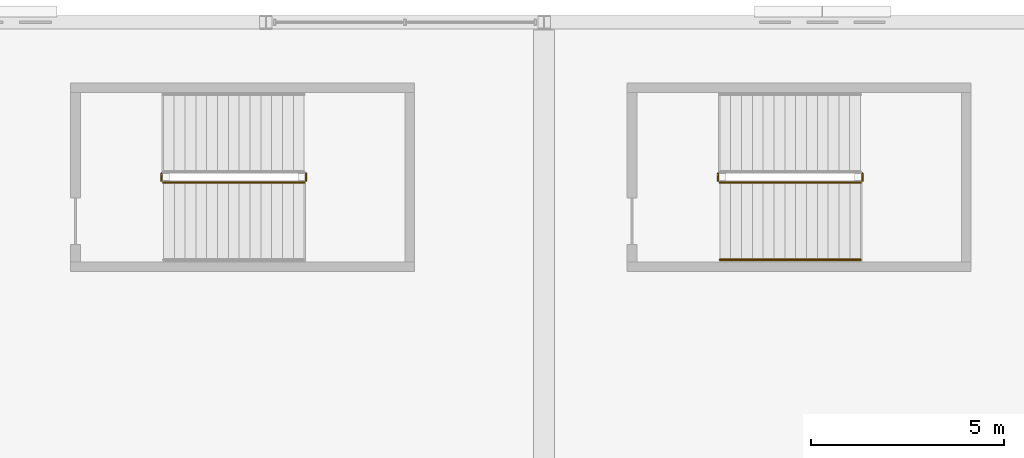
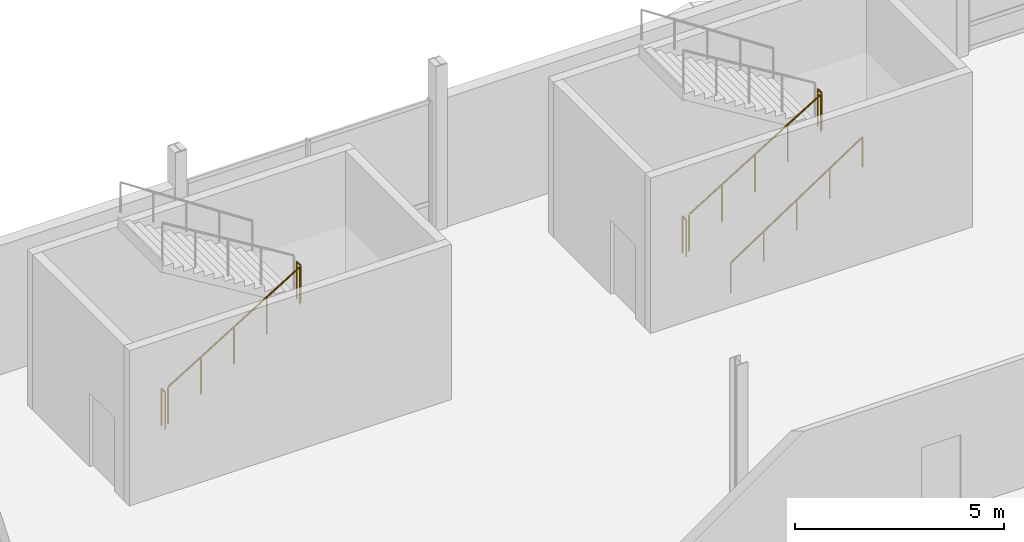
# One storey, part 176 of 193: 7 railings.
"""IFC4 building model written with IfcOpenShell, lengths in metres."""

from ifc_helpers import new_model, si_unit, direction, frame, origin, origin_2d, place, context, subcontext, project, spatial, circle, extrude, material, type_object, element, save


model = new_model("IFC4")

# Units and contexts
model_context = context("Model", 3, precision=1e-05, world=origin(), true_north=direction((0.0, 1.0)))
body_context = subcontext(model_context, "Body", "Model", "MODEL_VIEW")
ifc_project = project(units=[si_unit("LENGTHUNIT", "METRE"), si_unit("AREAUNIT", "SQUARE_METRE"), si_unit("VOLUMEUNIT", "CUBIC_METRE"), si_unit("PLANEANGLEUNIT", "RADIAN"), si_unit("MASSUNIT", "GRAM", prefix="KILO")], contexts=[model_context])

# Site, building, storey
site_placement = place(None, origin())
site = spatial("IfcSite", under=ifc_project, at=site_placement, CompositionType="ELEMENT")
building_placement = place(site_placement, origin())
building = spatial("IfcBuilding", under=site, at=building_placement, Name="Cendralis Lancet Convention Centre", CompositionType="ELEMENT")
storey_placement = place(building_placement, frame((0.0, 0.0, 10.199951171875)))
storey = spatial("IfcBuildingStorey", under=building, at=storey_placement, Name="L02", CompositionType="ELEMENT", Elevation=10.199951171875)

# Railings
ifc_material = material(Name="Steel S355", Category="steel")
railing_type_1 = type_object("IfcRailingType", Name="ARC-RL-CGD", PredefinedType="GUARDRAIL", material=ifc_material)
railing_1_placement = place(storey_placement, frame((69.35009765625, 31.85009765625, 0.17138671875)))
element("IfcRailing", 1, at=railing_1_placement, inside=storey, type_object=railing_type_1, Name="L02 ST-12 stair guard 1", PredefinedType="GUARDRAIL", context=body_context, shape_type="SweptSolid", body=[
    extrude(circle(Radius=0.02392578125, at=origin_2d()), frame((0.0, 0.0, 1.076171875), z_axis=(0.852824790078, 0.0, 0.522197163366), x_axis=(0.0, 1.0, 0.0)), (0.0, 0.0, 1.0), 4.26806640625),
    extrude(circle(Radius=0.02099609375, at=origin_2d()), origin(), (0.0, 0.0, 1.0), 1.052001953125),
    extrude(circle(Radius=0.02099609375, at=origin_2d()), frame((0.909912109375, 0.0, 0.55712890625)), (0.0, 0.0, 1.0), 1.052001953125),
    extrude(circle(Radius=0.02099609375, at=origin_2d()), frame((1.81982421875, 0.0, 1.1142578125)), (0.0, 0.0, 1.0), 1.052001953125),
    extrude(circle(Radius=0.02099609375, at=origin_2d()), frame((2.72998046875, 0.0, 1.671630859375)), (0.0, 0.0, 1.0), 1.052001953125),
    extrude(circle(Radius=0.02099609375, at=origin_2d()), frame((3.639892578125, 0.0, 2.228759765625)), (0.0, 0.0, 1.0), 1.052001953125),
])
for number, where, name in (
    (2, (73.0400390625, 31.89990234375, 2.400146484375), "L02 ST-12 stair guard 2"),
    (3, (69.300048828125, 31.89990234375, 0.0), "L02 ST-12 stair guard 4"),
):
    element("IfcRailing", number, at=place(storey_placement, frame(where)), inside=storey, type_object=railing_type_1, Name=name, PredefinedType="GUARDRAIL", context=body_context, shape_type="SweptSolid", body=[
        extrude(circle(Radius=0.02392578125, at=origin_2d()), frame((0.0, 0.0, 1.076171875), z_axis=(0.0, 1.0, 0.0), x_axis=(-1.0, 0.0, 0.0)), (0.0, 0.0, 1.0), 0.18017578125),
        extrude(circle(Radius=0.02099609375, at=origin_2d()), origin(), (0.0, 0.0, 1.0), 1.052001953125),
        extrude(circle(Radius=0.02099609375, at=origin_2d()), frame((0.0, 0.18017578125, 0.0)), (0.0, 0.0, 1.0), 1.052001953125),
    ])
railing_2_placement = place(storey_placement, frame((83.75, 31.85009765625, 0.17138671875)))
element("IfcRailing", 4, at=railing_2_placement, inside=storey, type_object=railing_type_1, Name="L02 ST-21 stair guard 1", PredefinedType="GUARDRAIL", context=body_context, shape_type="SweptSolid", body=[
    extrude(circle(Radius=0.02392578125, at=origin_2d()), frame((0.0, 0.0, 1.076171875), z_axis=(0.852824790078, 0.0, 0.522197163366), x_axis=(0.0, 1.0, 0.0)), (0.0, 0.0, 1.0), 4.26806640625),
    extrude(circle(Radius=0.02099609375, at=origin_2d()), origin(), (0.0, 0.0, 1.0), 1.052001953125),
    extrude(circle(Radius=0.02099609375, at=origin_2d()), frame((0.909912109375, 0.0, 0.55712890625)), (0.0, 0.0, 1.0), 1.052001953125),
    extrude(circle(Radius=0.02099609375, at=origin_2d()), frame((1.81982421875, 0.0, 1.1142578125)), (0.0, 0.0, 1.0), 1.052001953125),
    extrude(circle(Radius=0.02099609375, at=origin_2d()), frame((2.72998046875, 0.0, 1.671630859375)), (0.0, 0.0, 1.0), 1.052001953125),
    extrude(circle(Radius=0.02099609375, at=origin_2d()), frame((3.639892578125, 0.0, 2.228759765625)), (0.0, 0.0, 1.0), 1.052001953125),
])
for number, where, name in (
    (5, (87.43994140625, 31.89990234375, 2.400146484375), "L02 ST-21 stair guard 2"),
    (6, (83.699951171875, 31.89990234375, 0.0), "L02 ST-21 stair guard 4"),
):
    element("IfcRailing", number, at=place(storey_placement, frame(where)), inside=storey, type_object=railing_type_1, Name=name, PredefinedType="GUARDRAIL", context=body_context, shape_type="SweptSolid", body=[
        extrude(circle(Radius=0.02392578125, at=origin_2d()), frame((0.0, 0.0, 1.076171875), z_axis=(0.0, 1.0, 0.0), x_axis=(-1.0, 0.0, 0.0)), (0.0, 0.0, 1.0), 0.18017578125),
        extrude(circle(Radius=0.02099609375, at=origin_2d()), origin(), (0.0, 0.0, 1.0), 1.052001953125),
        extrude(circle(Radius=0.02099609375, at=origin_2d()), frame((0.0, 0.18017578125, 0.0)), (0.0, 0.0, 1.0), 1.052001953125),
    ])
railing_type_2 = type_object("IfcRailingType", Name="ARC-RL-CHR", PredefinedType="HANDRAIL", material=ifc_material)
railing_3_placement = place(storey_placement, frame((83.75, 29.85009765625, 0.17138671875)))
element("IfcRailing", 7, at=railing_3_placement, inside=storey, type_object=railing_type_2, Name="L02 ST-21 stair handrail 1", PredefinedType="HANDRAIL", context=body_context, shape_type="SweptSolid", body=[
    extrude(circle(Radius=0.02392578125, at=origin_2d()), frame((0.0, 0.0, 0.8759765625), z_axis=(0.834839479206, 0.0, 0.550493454965), x_axis=(0.0, 1.0, 0.0)), (0.0, 0.0, 1.0), 4.360107421875),
    extrude(circle(Radius=0.02099609375, at=origin_2d()), origin(), (0.0, 0.0, 1.0), 0.851806640625),
    extrude(circle(Radius=0.02099609375, at=origin_2d()), frame((0.909912109375, 0.0, 0.60009765625)), (0.0, 0.0, 1.0), 0.851806640625),
    extrude(circle(Radius=0.02099609375, at=origin_2d()), frame((1.81982421875, 0.0, 1.2001953125)), (0.0, 0.0, 1.0), 0.851806640625),
    extrude(circle(Radius=0.02099609375, at=origin_2d()), frame((2.72998046875, 0.0, 1.800048828125)), (0.0, 0.0, 1.0), 0.851806640625),
    extrude(circle(Radius=0.02099609375, at=origin_2d()), frame((3.639892578125, 0.0, 2.400146484375)), (0.0, 0.0, 1.0), 0.851806640625),
])

save(model, "model.ifc")
